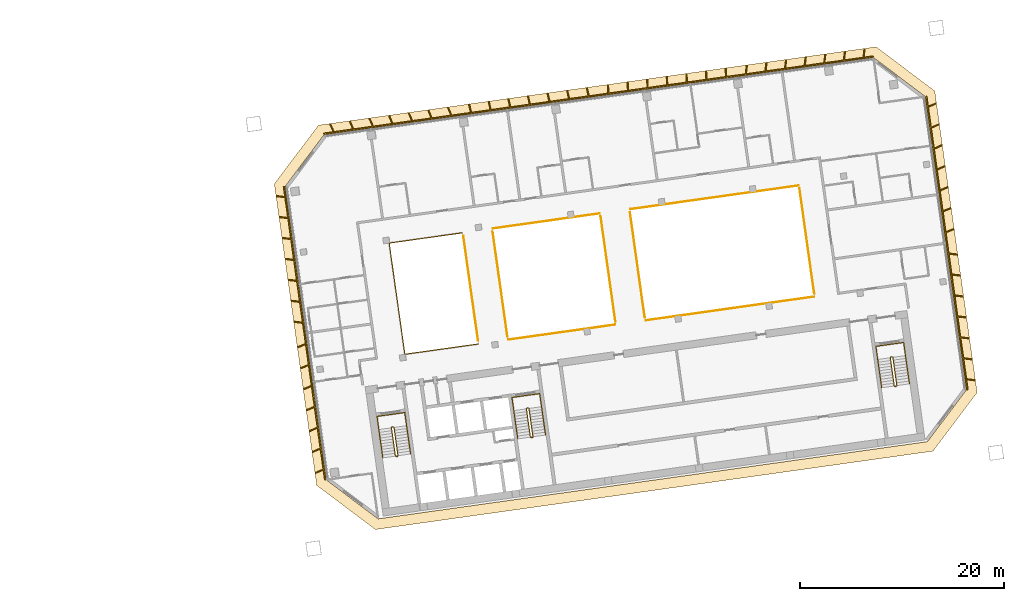
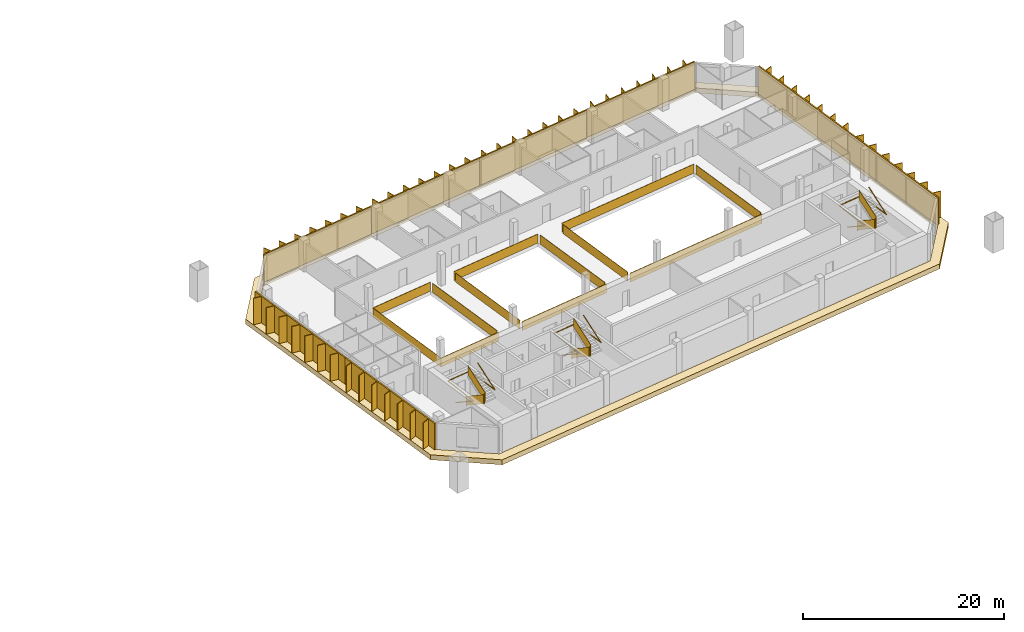
# One storey, part 26 of 26: 16 railings, 8 shading devices, 1 covering.
"""IFC4 building model written with IfcOpenShell, lengths in metres."""

from ifc_helpers import new_model, si_unit, direction, frame, origin, origin_2d, place, context, subcontext, project, spatial, polyline, rectangle, outline, extrude, material, layer, layer_set, type_object, element, save


model = new_model("IFC4")

# Units and contexts
model_context = context("Model", 3, precision=1e-05, world=origin(), true_north=direction((0.0, 1.0)))
body_context = subcontext(model_context, "Body", "Model", "MODEL_VIEW")
ifc_project = project(units=[si_unit("LENGTHUNIT", "METRE"), si_unit("AREAUNIT", "SQUARE_METRE"), si_unit("VOLUMEUNIT", "CUBIC_METRE"), si_unit("PLANEANGLEUNIT", "RADIAN"), si_unit("MASSUNIT", "GRAM", prefix="KILO")], contexts=[model_context])

# Site, building, storey
site_placement = place(None, origin())
site = spatial("IfcSite", under=ifc_project, at=site_placement, CompositionType="ELEMENT")
building_placement = place(site_placement, origin())
building = spatial("IfcBuilding", under=site, at=building_placement, Name="Mirante Cascada Hotel Towers", CompositionType="ELEMENT")
storey_placement = place(building_placement, frame((0.0, 0.0, 168.8)))
storey = spatial("IfcBuildingStorey", under=building, at=storey_placement, Name="L39", CompositionType="ELEMENT", Elevation=168.8)

# Railings
ifc_material_1 = material(Name="Toughened glass with stainless steel handrail", Category="steel")
railing_type_1 = type_object("IfcRailingType", Name="Atrium guard 1100 glass balustrade", PredefinedType="GUARDRAIL", material=ifc_material_1)
railing_1_placement = place(storey_placement, frame((45.0309, 7.7871, 0.0)))
element("IfcRailing", 1, at=railing_1_placement, inside=storey, type_object=railing_type_1, Name="GUARD 2-L39-1", PredefinedType="GUARDRAIL", context=body_context, shape_type="SweptSolid", body=[
    extrude(rectangle(XDim=0.048, YDim=0.048, at=origin_2d()), frame((0.0, 0.0, 1.076), z_axis=(-0.990269, -0.1391665, 0.0), x_axis=(0.1391665, -0.990269, 0.0)), (0.0, 0.0, 1.0), 7.2467),
    extrude(rectangle(XDim=0.02, YDim=1.052, at=origin_2d()), frame((0.0, 0.0, 0.526), z_axis=(-0.990269, -0.1391665, 0.0), x_axis=(0.1391665, -0.990269, 0.0)), (0.0, 0.0, 1.0), 7.2467),
    extrude(rectangle(XDim=0.048, YDim=0.048, at=origin_2d()), frame((-7.1762, -1.0085, 1.076), z_axis=(0.1391721, -0.9902682, 0.0), x_axis=(0.9902682, 0.1391721, 0.0)), (0.0, 0.0, 1.0), 11.0001),
    extrude(rectangle(XDim=0.02, YDim=1.052, at=origin_2d()), frame((-7.1762, -1.0085, 0.526), z_axis=(0.1391721, -0.9902682, 0.0), x_axis=(0.9902682, 0.1391721, 0.0)), (0.0, 0.0, 1.0), 11.0001),
    extrude(rectangle(XDim=0.048, YDim=0.048, at=origin_2d()), frame((-5.6453, -11.9015, 1.076), z_axis=(0.9902671, 0.13918, 0.0), x_axis=(-0.13918, 0.9902671, 0.0)), (0.0, 0.0, 1.0), 7.2467),
    extrude(rectangle(XDim=0.02, YDim=1.052, at=origin_2d()), frame((-5.6453, -11.9015, 0.526), z_axis=(0.9902671, 0.13918, 0.0), x_axis=(-0.13918, 0.9902671, 0.0)), (0.0, 0.0, 1.0), 7.2467),
])
railing_2_placement = place(storey_placement, frame((49.5326, -2.6883, 0.0)))
element("IfcRailing", 2, at=railing_2_placement, inside=storey, type_object=railing_type_1, Name="GUARD 2-L39-2", PredefinedType="GUARDRAIL", context=body_context, shape_type="SweptSolid", body=[
    extrude(rectangle(XDim=0.048, YDim=0.048, at=origin_2d()), frame((0.0, 0.0, 1.076), z_axis=(0.9902676, 0.1391764, 0.0), x_axis=(-0.1391764, 0.9902676, 0.0)), (0.0, 0.0, 1.0), 10.5844),
    extrude(rectangle(XDim=0.02, YDim=1.052, at=origin_2d()), frame((0.0, 0.0, 0.526), z_axis=(0.9902676, 0.1391764, 0.0), x_axis=(-0.1391764, 0.9902676, 0.0)), (0.0, 0.0, 1.0), 10.5844),
])
railing_3_placement = place(storey_placement, frame((58.4831, 9.6777, 0.0)))
element("IfcRailing", 3, at=railing_3_placement, inside=storey, type_object=railing_type_1, Name="GUARD 2-L39-3", PredefinedType="GUARDRAIL", context=body_context, shape_type="SweptSolid", body=[
    extrude(rectangle(XDim=0.048, YDim=0.048, at=origin_2d()), frame((0.0, 0.0, 1.076), z_axis=(-0.9902689, -0.1391671, 0.0), x_axis=(0.1391671, -0.9902689, 0.0)), (0.0, 0.0, 1.0), 10.5844),
    extrude(rectangle(XDim=0.02, YDim=1.052, at=origin_2d()), frame((0.0, 0.0, 0.526), z_axis=(-0.9902689, -0.1391671, 0.0), x_axis=(0.1391671, -0.9902689, 0.0)), (0.0, 0.0, 1.0), 10.5844),
])
railing_4_placement = place(storey_placement, frame((62.9849, -0.7977, 0.0)))
element("IfcRailing", 4, at=railing_4_placement, inside=storey, type_object=railing_type_1, Name="GUARD 2-L39-4", PredefinedType="GUARDRAIL", context=body_context, shape_type="SweptSolid", body=[
    extrude(rectangle(XDim=0.048, YDim=0.048, at=origin_2d()), frame((0.0, 0.0, 1.076), z_axis=(-1.0, 0.0, 0.0), x_axis=(0.0, -1.0, 0.0)), (0.0, 0.0, 1.0), 0.0001),
    extrude(rectangle(XDim=0.02, YDim=1.052, at=origin_2d()), frame((0.0, 0.0, 0.526), z_axis=(-1.0, 0.0, 0.0), x_axis=(0.0, -1.0, 0.0)), (0.0, 0.0, 1.0), 0.0001),
    extrude(rectangle(XDim=0.048, YDim=0.048, at=origin_2d()), frame((-0.0001, 0.0, 1.076), z_axis=(0.9902678, 0.1391751, 0.0), x_axis=(-0.1391751, 0.9902678, 0.0)), (0.0, 0.0, 1.0), 16.6689),
    extrude(rectangle(XDim=0.02, YDim=1.052, at=origin_2d()), frame((-0.0001, 0.0, 0.526), z_axis=(0.9902678, 0.1391751, 0.0), x_axis=(-0.1391751, 0.9902678, 0.0)), (0.0, 0.0, 1.0), 16.6689),
    extrude(rectangle(XDim=0.048, YDim=0.048, at=origin_2d()), frame((16.5066, 2.3199, 1.076), z_axis=(-0.9901262, -0.1401792, 0.0), x_axis=(0.1401792, -0.9901262, 0.0)), (0.0, 0.0, 1.0), 0.0564),
    extrude(rectangle(XDim=0.02, YDim=1.052, at=origin_2d()), frame((16.5066, 2.3199, 0.526), z_axis=(-0.9901262, -0.1401792, 0.0), x_axis=(0.1401792, -0.9901262, 0.0)), (0.0, 0.0, 1.0), 0.0564),
])
railing_5_placement = place(storey_placement, frame((77.9048, 12.4073, 0.0)))
element("IfcRailing", 5, at=railing_5_placement, inside=storey, type_object=railing_type_1, Name="GUARD 2-L39-5", PredefinedType="GUARDRAIL", context=body_context, shape_type="SweptSolid", body=[
    extrude(rectangle(XDim=0.048, YDim=0.048, at=origin_2d()), frame((0.0, 0.0, 1.076), z_axis=(0.990371, 0.138439, 0.0), x_axis=(-0.138439, 0.990371, 0.0)), (0.0, 0.0, 1.0), 0.0563),
    extrude(rectangle(XDim=0.02, YDim=1.052, at=origin_2d()), frame((0.0, 0.0, 0.526), z_axis=(0.990371, 0.138439, 0.0), x_axis=(-0.138439, 0.990371, 0.0)), (0.0, 0.0, 1.0), 0.0563),
    extrude(rectangle(XDim=0.048, YDim=0.048, at=origin_2d()), frame((0.0558, 0.0078, 1.076), z_axis=(-0.9902686, -0.1391693, 0.0), x_axis=(0.1391693, -0.9902686, 0.0)), (0.0, 0.0, 1.0), 16.6689),
    extrude(rectangle(XDim=0.02, YDim=1.052, at=origin_2d()), frame((0.0558, 0.0078, 0.526), z_axis=(-0.9902686, -0.1391693, 0.0), x_axis=(0.1391693, -0.9902686, 0.0)), (0.0, 0.0, 1.0), 16.6689),
    extrude(rectangle(XDim=0.048, YDim=0.048, at=origin_2d()), frame((-16.4509, -2.312, 1.076), z_axis=(1.0, 0.0, 0.0), x_axis=(0.0, 1.0, 0.0)), (0.0, 0.0, 1.0), 0.0001),
    extrude(rectangle(XDim=0.02, YDim=1.052, at=origin_2d()), frame((-16.4509, -2.312, 0.526), z_axis=(1.0, 0.0, 0.0), x_axis=(0.0, 1.0, 0.0)), (0.0, 0.0, 1.0), 0.0001),
])
railing_6_placement = place(storey_placement, frame((46.5692, -2.8062, 0.0)))
element("IfcRailing", 6, at=railing_6_placement, inside=storey, type_object=railing_type_1, Name="GUARD 2-L39-6", PredefinedType="GUARDRAIL", context=body_context, shape_type="SweptSolid", body=[
    extrude(rectangle(XDim=0.048, YDim=0.048, at=origin_2d()), frame((0.0, 0.0, 1.076), z_axis=(-0.1391721, 0.9902682, 0.0), x_axis=(-0.9902682, -0.1391721, 0.0)), (0.0, 0.0, 1.0), 10.4087),
    extrude(rectangle(XDim=0.02, YDim=1.052, at=origin_2d()), frame((0.0, 0.0, 0.526), z_axis=(-0.1391721, 0.9902682, 0.0), x_axis=(-0.9902682, -0.1391721, 0.0)), (0.0, 0.0, 1.0), 10.4087),
])
railing_7_placement = place(storey_placement, frame((47.9943, 7.9051, 0.0)))
element("IfcRailing", 7, at=railing_7_placement, inside=storey, type_object=railing_type_1, Name="GUARD 2-L39-7", PredefinedType="GUARDRAIL", context=body_context, shape_type="SweptSolid", body=[
    extrude(rectangle(XDim=0.048, YDim=0.048, at=origin_2d()), frame((0.0, 0.0, 1.076), z_axis=(0.1391721, -0.9902682, 0.0), x_axis=(0.9902682, 0.1391721, 0.0)), (0.0, 0.0, 1.0), 10.4087),
    extrude(rectangle(XDim=0.02, YDim=1.052, at=origin_2d()), frame((0.0, 0.0, 0.526), z_axis=(0.1391721, -0.9902682, 0.0), x_axis=(0.9902682, 0.1391721, 0.0)), (0.0, 0.0, 1.0), 10.4087),
])
railing_8_placement = place(storey_placement, frame((60.0214, -0.9156, 0.0)))
element("IfcRailing", 8, at=railing_8_placement, inside=storey, type_object=railing_type_1, Name="GUARD 2-L39-8", PredefinedType="GUARDRAIL", context=body_context, shape_type="SweptSolid", body=[
    extrude(rectangle(XDim=0.048, YDim=0.048, at=origin_2d()), frame((0.0, 0.0, 1.076), z_axis=(-0.1391721, 0.9902682, 0.0), x_axis=(-0.9902682, -0.1391721, 0.0)), (0.0, 0.0, 1.0), 10.4087),
    extrude(rectangle(XDim=0.02, YDim=1.052, at=origin_2d()), frame((0.0, 0.0, 0.526), z_axis=(-0.1391721, 0.9902682, 0.0), x_axis=(-0.9902682, -0.1391721, 0.0)), (0.0, 0.0, 1.0), 10.4087),
])
railing_9_placement = place(storey_placement, frame((61.4465, 9.7957, 0.0)))
element("IfcRailing", 9, at=railing_9_placement, inside=storey, type_object=railing_type_1, Name="GUARD 2-L39-9", PredefinedType="GUARDRAIL", context=body_context, shape_type="SweptSolid", body=[
    extrude(rectangle(XDim=0.048, YDim=0.048, at=origin_2d()), frame((0.0, 0.0, 1.076), z_axis=(0.1391708, -0.9902684, 0.0), x_axis=(0.9902684, 0.1391708, 0.0)), (0.0, 0.0, 1.0), 10.4088),
    extrude(rectangle(XDim=0.02, YDim=1.052, at=origin_2d()), frame((0.0, 0.0, 0.526), z_axis=(0.1391708, -0.9902684, 0.0), x_axis=(0.9902684, 0.1391708, 0.0)), (0.0, 0.0, 1.0), 10.4088),
])
railing_10_placement = place(storey_placement, frame((79.4999, 1.8217, 0.0)))
element("IfcRailing", 10, at=railing_10_placement, inside=storey, type_object=railing_type_1, Name="GUARD 2-L39-10", PredefinedType="GUARDRAIL", context=body_context, shape_type="SweptSolid", body=[
    extrude(rectangle(XDim=0.048, YDim=0.048, at=origin_2d()), frame((0.0, 0.0, 1.076), z_axis=(-0.1391762, 0.9902676, 0.0), x_axis=(-0.9902676, -0.1391762, 0.0)), (0.0, 0.0, 1.0), 10.4091),
    extrude(rectangle(XDim=0.02, YDim=1.052, at=origin_2d()), frame((0.0, 0.0, 0.526), z_axis=(-0.1391762, 0.9902676, 0.0), x_axis=(-0.9902676, -0.1391762, 0.0)), (0.0, 0.0, 1.0), 10.4091),
])

# Covering
ifc_material_2 = material(Name="Precast concrete C40/50 white", Category="concrete")
ifc_layer = layer(ifc_material_2, 0.6)
ifc_layer_set = layer_set([ifc_layer], Name="Precast concrete SUNSHADE band 1000x600")
covering_type = type_object("IfcCoveringType", Name="Precast concrete SUNSHADE band 1000x600", PredefinedType="CLADDING", material=ifc_layer_set)
covering_placement = place(storey_placement, frame((0.0, 0.0, -0.45)))
element("IfcCovering", 11, at=covering_placement, inside=storey, type_object=covering_type, Name="Precast concrete SUNSHADE band T2 L39", PredefinedType="CLADDING", context=body_context, shape_type="SweptSolid", body=[
    extrude(outline(polyline([(26.5997, 12.5829), (30.9282, 18.327), (85.5574, 26.0046), (91.3015, 21.6761), (95.4528, -7.862), (91.1243, -13.6061), (36.4951, -21.2837), (30.751, -16.9552), (26.5997, 12.5829)]), holes=[polyline([(94.4049, -7.591), (90.3689, 21.1268), (85.2864, 24.9567), (31.4775, 17.3944), (27.6476, 12.3119), (31.6836, -16.4059), (36.7661, -20.2358), (90.575, -12.6735), (94.4049, -7.591)])]), origin(), (0.0, 0.0, 1.0), 0.6),
])

# Railings
ifc_material_3 = material(Name="Painted steel", Category="steel")
railing_type_2 = type_object("IfcRailingType", Name="Stair guard 1100 steel balustrade", PredefinedType="GUARDRAIL", material=ifc_material_3)
railing_11_placement = place(storey_placement, frame((38.2663, -11.2395, 0.0)))
element("IfcRailing", 12, at=railing_11_placement, inside=storey, type_object=railing_type_2, Name="L39 ST2-A stair guard 1", PredefinedType="GUARDRAIL", context=body_context, shape_type="SweptSolid", body=[
    extrude(rectangle(XDim=0.048, YDim=0.048, at=origin_2d()), frame((0.0, 0.0, 1.076), z_axis=(-0.9903326, -0.1387133, 0.0), x_axis=(0.1387133, -0.9903326, 0.0)), (0.0, 0.0, 1.0), 0.1499),
    extrude(rectangle(XDim=0.02, YDim=1.052, at=origin_2d()), frame((0.0, 0.0, 0.526), z_axis=(-0.9903326, -0.1387133, 0.0), x_axis=(0.1387133, -0.9903326, 0.0)), (0.0, 0.0, 1.0), 0.1499),
    extrude(rectangle(XDim=0.048, YDim=0.048, at=origin_2d()), frame((-0.1485, -0.0208, 1.076), z_axis=(-0.6020331, -0.7984711, 0.0), x_axis=(0.7984711, -0.6020331, 0.0)), (0.0, 0.9253398, 0.3791387), 0.1866),
    extrude(rectangle(XDim=0.02, YDim=1.052, at=origin_2d()), frame((-0.1485, -0.0208, 0.526), z_axis=(-0.6020331, -0.7984711, 0.0), x_axis=(0.7984711, -0.6020331, 0.0)), (0.0, 0.9253398, 0.3791387), 0.1866),
    extrude(rectangle(XDim=0.048, YDim=0.048, at=origin_2d()), frame((-0.1911, -0.0773, 1.2487), z_axis=(0.139176, -0.9902677, 0.0), x_axis=(0.9902677, 0.139176, 0.0)), (0.0, 0.5250212, 0.8510891), 3.29),
    extrude(rectangle(XDim=0.02, YDim=1.052, at=origin_2d()), frame((-0.1911, -0.0773, 0.6987), z_axis=(0.139176, -0.9902677, 0.0), x_axis=(0.9902677, 0.139176, 0.0)), (0.0, 0.5250212, 0.8510891), 3.29),
    extrude(rectangle(XDim=0.048, YDim=0.048, at=origin_2d()), frame((0.1986, -2.8501, 2.976), z_axis=(0.9944948, -0.1047858, 0.0), x_axis=(0.1047858, 0.9944948, 0.0)), (0.0, 0.0, 1.0), 0.2061),
    extrude(rectangle(XDim=0.02, YDim=1.052, at=origin_2d()), frame((0.1986, -2.8501, 2.426), z_axis=(0.9944948, -0.1047858, 0.0), x_axis=(0.1047858, 0.9944948, 0.0)), (0.0, 0.0, 1.0), 0.2061),
    extrude(rectangle(XDim=0.048, YDim=0.048, at=origin_2d()), frame((0.4036, -2.8717, 2.976), z_axis=(-0.9902408, -0.1393672, 0.0), x_axis=(0.1393672, -0.9902408, 0.0)), (0.0, 0.0, 1.0), 0.15),
    extrude(rectangle(XDim=0.02, YDim=1.052, at=origin_2d()), frame((0.4036, -2.8717, 2.426), z_axis=(-0.9902408, -0.1393672, 0.0), x_axis=(0.1393672, -0.9902408, 0.0)), (0.0, 0.0, 1.0), 0.15),
    extrude(rectangle(XDim=0.048, YDim=0.048, at=origin_2d()), frame((0.2551, -2.8926, 2.976), z_axis=(0.9270311, 0.3749843, 0.0), x_axis=(-0.3749843, 0.9270311, 0.0)), (0.0, 0.6421903, 0.7665452), 0.2689),
    extrude(rectangle(XDim=0.02, YDim=1.052, at=origin_2d()), frame((0.2551, -2.8926, 2.426), z_axis=(0.9270311, 0.3749843, 0.0), x_axis=(-0.3749843, 0.9270311, 0.0)), (0.0, 0.6421903, 0.7665452), 0.2689),
    extrude(rectangle(XDim=0.048, YDim=0.048, at=origin_2d()), frame((0.4462, -2.8153, 3.1487), z_axis=(-0.139176, 0.9902677, 0.0), x_axis=(-0.9902677, -0.139176, 0.0)), (0.0, 0.5250212, 0.8510891), 3.29),
    extrude(rectangle(XDim=0.02, YDim=1.052, at=origin_2d()), frame((0.4462, -2.8153, 2.5987), z_axis=(-0.139176, 0.9902677, 0.0), x_axis=(-0.9902677, -0.139176, 0.0)), (0.0, 0.5250212, 0.8510891), 3.29),
])
railing_12_placement = place(storey_placement, frame((51.4864, -9.3815, 0.0)))
element("IfcRailing", 13, at=railing_12_placement, inside=storey, type_object=railing_type_2, Name="L39 ST2-B stair guard 1", PredefinedType="GUARDRAIL", context=body_context, shape_type="SweptSolid", body=[
    extrude(rectangle(XDim=0.048, YDim=0.048, at=origin_2d()), frame((0.0, 0.0, 1.076), z_axis=(-0.9902408, -0.1393672, 0.0), x_axis=(0.1393672, -0.9902408, 0.0)), (0.0, 0.0, 1.0), 0.15),
    extrude(rectangle(XDim=0.02, YDim=1.052, at=origin_2d()), frame((0.0, 0.0, 0.526), z_axis=(-0.9902408, -0.1393672, 0.0), x_axis=(0.1393672, -0.9902408, 0.0)), (0.0, 0.0, 1.0), 0.15),
    extrude(rectangle(XDim=0.048, YDim=0.048, at=origin_2d()), frame((-0.1485, -0.0209, 1.076), z_axis=(-0.6020331, -0.7984711, 0.0), x_axis=(0.7984711, -0.6020331, 0.0)), (0.0, 0.9253398, 0.3791387), 0.1866),
    extrude(rectangle(XDim=0.02, YDim=1.052, at=origin_2d()), frame((-0.1485, -0.0209, 0.526), z_axis=(-0.6020331, -0.7984711, 0.0), x_axis=(0.7984711, -0.6020331, 0.0)), (0.0, 0.9253398, 0.3791387), 0.1866),
    extrude(rectangle(XDim=0.048, YDim=0.048, at=origin_2d()), frame((-0.1911, -0.0774, 1.2487), z_axis=(0.139181, -0.990267, 0.0), x_axis=(0.990267, 0.139181, 0.0)), (0.0, 0.5250347, 0.8510808), 3.2899),
    extrude(rectangle(XDim=0.02, YDim=1.052, at=origin_2d()), frame((-0.1911, -0.0774, 0.6987), z_axis=(0.139181, -0.990267, 0.0), x_axis=(0.990267, 0.139181, 0.0)), (0.0, 0.5250347, 0.8510808), 3.2899),
    extrude(rectangle(XDim=0.048, YDim=0.048, at=origin_2d()), frame((0.1986, -2.8501, 2.976), z_axis=(0.9944441, -0.1052656, 0.0), x_axis=(0.1052656, 0.9944441, 0.0)), (0.0, 0.0, 1.0), 0.2061),
    extrude(rectangle(XDim=0.02, YDim=1.052, at=origin_2d()), frame((0.1986, -2.8501, 2.426), z_axis=(0.9944441, -0.1052656, 0.0), x_axis=(0.1052656, 0.9944441, 0.0)), (0.0, 0.0, 1.0), 0.2061),
    extrude(rectangle(XDim=0.048, YDim=0.048, at=origin_2d()), frame((0.4036, -2.8718, 2.976), z_axis=(-0.9902408, -0.1393672, 0.0), x_axis=(0.1393672, -0.9902408, 0.0)), (0.0, 0.0, 1.0), 0.15),
    extrude(rectangle(XDim=0.02, YDim=1.052, at=origin_2d()), frame((0.4036, -2.8718, 2.426), z_axis=(-0.9902408, -0.1393672, 0.0), x_axis=(0.1393672, -0.9902408, 0.0)), (0.0, 0.0, 1.0), 0.15),
    extrude(rectangle(XDim=0.048, YDim=0.048, at=origin_2d()), frame((0.2551, -2.8927, 2.976), z_axis=(0.9268624, 0.3754011, 0.0), x_axis=(-0.3754011, 0.9268624, 0.0)), (0.0, 0.6421217, 0.7666028), 0.269),
    extrude(rectangle(XDim=0.02, YDim=1.052, at=origin_2d()), frame((0.2551, -2.8927, 2.426), z_axis=(0.9268624, 0.3754011, 0.0), x_axis=(-0.3754011, 0.9268624, 0.0)), (0.0, 0.6421217, 0.7666028), 0.269),
    extrude(rectangle(XDim=0.048, YDim=0.048, at=origin_2d()), frame((0.4462, -2.8153, 3.1487), z_axis=(-0.139181, 0.990267, 0.0), x_axis=(-0.990267, -0.139181, 0.0)), (0.0, 0.5250347, 0.8510808), 3.2899),
    extrude(rectangle(XDim=0.02, YDim=1.052, at=origin_2d()), frame((0.4462, -2.8153, 2.5987), z_axis=(-0.139181, 0.990267, 0.0), x_axis=(-0.990267, -0.139181, 0.0)), (0.0, 0.5250347, 0.8510808), 3.2899),
])
railing_13_placement = place(storey_placement, frame((87.1361, -4.3713, 0.0)))
element("IfcRailing", 14, at=railing_13_placement, inside=storey, type_object=railing_type_2, Name="L39 ST2-C stair guard 1", PredefinedType="GUARDRAIL", context=body_context, shape_type="SweptSolid", body=[
    extrude(rectangle(XDim=0.048, YDim=0.048, at=origin_2d()), frame((0.0, 0.0, 1.076), z_axis=(-0.9902537, -0.1392753, 0.0), x_axis=(0.1392753, -0.9902537, 0.0)), (0.0, 0.0, 1.0), 0.1501),
    extrude(rectangle(XDim=0.02, YDim=1.052, at=origin_2d()), frame((0.0, 0.0, 0.526), z_axis=(-0.9902537, -0.1392753, 0.0), x_axis=(0.1392753, -0.9902537, 0.0)), (0.0, 0.0, 1.0), 0.1501),
    extrude(rectangle(XDim=0.048, YDim=0.048, at=origin_2d()), frame((-0.1486, -0.0209, 1.076), z_axis=(-0.601811, -0.7986386, 0.0), x_axis=(0.7986386, -0.601811, 0.0)), (0.0, 0.925603, 0.3784959), 0.1866),
    extrude(rectangle(XDim=0.02, YDim=1.052, at=origin_2d()), frame((-0.1486, -0.0209, 0.526), z_axis=(-0.601811, -0.7986386, 0.0), x_axis=(0.7986386, -0.601811, 0.0)), (0.0, 0.925603, 0.3784959), 0.1866),
    extrude(rectangle(XDim=0.048, YDim=0.048, at=origin_2d()), frame((-0.1911, -0.0773, 1.2487), z_axis=(0.139176, -0.9902677, 0.0), x_axis=(0.9902677, 0.139176, 0.0)), (0.0, 0.5250212, 0.8510891), 3.29),
    extrude(rectangle(XDim=0.02, YDim=1.052, at=origin_2d()), frame((-0.1911, -0.0773, 0.6987), z_axis=(0.139176, -0.9902677, 0.0), x_axis=(0.9902677, 0.139176, 0.0)), (0.0, 0.5250212, 0.8510891), 3.29),
    extrude(rectangle(XDim=0.048, YDim=0.048, at=origin_2d()), frame((0.1986, -2.8501, 2.976), z_axis=(0.9944441, -0.1052656, 0.0), x_axis=(0.1052656, 0.9944441, 0.0)), (0.0, 0.0, 1.0), 0.2061),
    extrude(rectangle(XDim=0.02, YDim=1.052, at=origin_2d()), frame((0.1986, -2.8501, 2.426), z_axis=(0.9944441, -0.1052656, 0.0), x_axis=(0.1052656, 0.9944441, 0.0)), (0.0, 0.0, 1.0), 0.2061),
    extrude(rectangle(XDim=0.048, YDim=0.048, at=origin_2d()), frame((0.4036, -2.8718, 2.976), z_axis=(-0.9903454, -0.1386217, 0.0), x_axis=(0.1386217, -0.9903454, 0.0)), (0.0, 0.0, 1.0), 0.15),
    extrude(rectangle(XDim=0.02, YDim=1.052, at=origin_2d()), frame((0.4036, -2.8718, 2.426), z_axis=(-0.9903454, -0.1386217, 0.0), x_axis=(0.1386217, -0.9903454, 0.0)), (0.0, 0.0, 1.0), 0.15),
    extrude(rectangle(XDim=0.048, YDim=0.048, at=origin_2d()), frame((0.255, -2.8926, 2.976), z_axis=(0.9270311, 0.3749843, 0.0), x_axis=(-0.3749843, 0.9270311, 0.0)), (0.0, 0.6421903, 0.7665452), 0.2689),
    extrude(rectangle(XDim=0.02, YDim=1.052, at=origin_2d()), frame((0.255, -2.8926, 2.426), z_axis=(0.9270311, 0.3749843, 0.0), x_axis=(-0.3749843, 0.9270311, 0.0)), (0.0, 0.6421903, 0.7665452), 0.2689),
    extrude(rectangle(XDim=0.048, YDim=0.048, at=origin_2d()), frame((0.4461, -2.8153, 3.1487), z_axis=(-0.139176, 0.9902677, 0.0), x_axis=(-0.9902677, -0.139176, 0.0)), (0.0, 0.5250212, 0.8510891), 3.29),
    extrude(rectangle(XDim=0.02, YDim=1.052, at=origin_2d()), frame((0.4461, -2.8153, 2.5987), z_axis=(-0.139176, 0.9902677, 0.0), x_axis=(-0.9902677, -0.139176, 0.0)), (0.0, 0.5250212, 0.8510891), 3.29),
])
ifc_material_4 = material(Name="Painted steel", Category="steel")
railing_type_3 = type_object("IfcRailingType", Name="Stair handrail 900 steel tube", PredefinedType="HANDRAIL", material=ifc_material_4)
railing_14_placement = place(storey_placement, frame((36.8374, -11.4908, 0.1727)))
element("IfcRailing", 15, at=railing_14_placement, inside=storey, type_object=railing_type_3, Name="L39 ST2-A stair handrail 1", PredefinedType="HANDRAIL", context=body_context, shape_type="SweptSolid", body=[
    extrude(rectangle(XDim=0.048, YDim=0.048, at=origin_2d()), frame((0.0, 0.0, 0.876), z_axis=(0.139181, -0.990267, 0.0), x_axis=(0.990267, 0.139181, 0.0)), (0.0, 0.5250347, 0.8510808), 3.2899),
    extrude(rectangle(XDim=0.048, YDim=0.048, at=origin_2d()), frame((0.3897, -2.7727, 2.6033), z_axis=(-0.1391707, 0.9902684, 0.0), x_axis=(-0.9902684, -0.1391707, 0.0)), (0.0, 0.0420846, 0.999114), 4.1036),
    extrude(rectangle(XDim=0.048, YDim=0.048, at=origin_2d()), frame((-0.1809, 1.2874, 2.776), z_axis=(0.9902691, 0.1391657, 0.0), x_axis=(-0.1391657, 0.9902691, 0.0)), (0.0, 0.0, 1.0), 2.75),
    extrude(rectangle(XDim=0.048, YDim=0.048, at=origin_2d()), frame((2.5423, 1.6701, 2.776), z_axis=(0.1391707, -0.9902684, 0.0), x_axis=(0.9902684, 0.1391707, 0.0)), (0.0, 0.0, 1.0), 4.1),
    extrude(rectangle(XDim=0.048, YDim=0.048, at=origin_2d()), frame((3.1129, -2.39, 2.776), z_axis=(-0.139181, 0.990267, 0.0), x_axis=(-0.990267, -0.139181, 0.0)), (0.0, 0.5250347, 0.8510808), 3.2899),
])
railing_15_placement = place(storey_placement, frame((50.0575, -9.6328, 0.1727)))
element("IfcRailing", 16, at=railing_15_placement, inside=storey, type_object=railing_type_3, Name="L39 ST2-B stair handrail 1", PredefinedType="HANDRAIL", context=body_context, shape_type="SweptSolid", body=[
    extrude(rectangle(XDim=0.048, YDim=0.048, at=origin_2d()), frame((0.0, 0.0, 0.876), z_axis=(0.139176, -0.9902677, 0.0), x_axis=(0.9902677, 0.139176, 0.0)), (0.0, 0.5250212, 0.8510891), 3.29),
    extrude(rectangle(XDim=0.048, YDim=0.048, at=origin_2d()), frame((0.3897, -2.7728, 2.6033), z_axis=(-0.1391707, 0.9902684, 0.0), x_axis=(-0.9902684, -0.1391707, 0.0)), (0.0, 0.0420846, 0.999114), 4.1036),
    extrude(rectangle(XDim=0.048, YDim=0.048, at=origin_2d()), frame((-0.1809, 1.2873, 2.776), z_axis=(0.9902641, 0.1392013, 0.0), x_axis=(-0.1392013, 0.9902641, 0.0)), (0.0, 0.0, 1.0), 2.75),
    extrude(rectangle(XDim=0.048, YDim=0.048, at=origin_2d()), frame((2.5423, 1.6701, 2.776), z_axis=(0.1391707, -0.9902684, 0.0), x_axis=(0.9902684, 0.1391707, 0.0)), (0.0, 0.0, 1.0), 4.1),
    extrude(rectangle(XDim=0.048, YDim=0.048, at=origin_2d()), frame((3.1129, -2.39, 2.776), z_axis=(-0.139181, 0.990267, 0.0), x_axis=(-0.990267, -0.139181, 0.0)), (0.0, 0.5250347, 0.8510808), 3.2899),
])
railing_16_placement = place(storey_placement, frame((85.7071, -4.6226, 0.1727)))
element("IfcRailing", 17, at=railing_16_placement, inside=storey, type_object=railing_type_3, Name="L39 ST2-C stair handrail 1", PredefinedType="HANDRAIL", context=body_context, shape_type="SweptSolid", body=[
    extrude(rectangle(XDim=0.048, YDim=0.048, at=origin_2d()), frame((0.0, 0.0, 0.876), z_axis=(0.139181, -0.990267, 0.0), x_axis=(0.990267, 0.139181, 0.0)), (0.0, 0.5250347, 0.8510808), 3.2899),
    extrude(rectangle(XDim=0.048, YDim=0.048, at=origin_2d()), frame((0.3897, -2.7727, 2.6033), z_axis=(-0.1391707, 0.9902684, 0.0), x_axis=(-0.9902684, -0.1391707, 0.0)), (0.0, 0.0420846, 0.999114), 4.1036),
    extrude(rectangle(XDim=0.048, YDim=0.048, at=origin_2d()), frame((-0.1809, 1.2874, 2.776), z_axis=(0.9902691, 0.1391657, 0.0), x_axis=(-0.1391657, 0.9902691, 0.0)), (0.0, 0.0, 1.0), 2.75),
    extrude(rectangle(XDim=0.048, YDim=0.048, at=origin_2d()), frame((2.5423, 1.6701, 2.776), z_axis=(0.1391947, -0.990265, 0.0), x_axis=(0.990265, 0.1391947, 0.0)), (0.0, 0.0, 1.0), 4.1),
    extrude(rectangle(XDim=0.048, YDim=0.048, at=origin_2d()), frame((3.113, -2.39, 2.776), z_axis=(-0.139181, 0.990267, 0.0), x_axis=(-0.990267, -0.139181, 0.0)), (0.0, 0.5250347, 0.8510808), 3.2899),
])

# Shading devices
ifc_material_5 = material(Name="White precast concrete C50/60 fin", Category="concrete")
shading_device_type = type_object("IfcShadingDeviceType", Name="Vertical fin set 4500x900", PredefinedType="USERDEFINED", material=ifc_material_5)
shading_device_1_placement = place(storey_placement, origin())
element("IfcShadingDevice", 18, at=shading_device_1_placement, inside=storey, type_object=shading_device_type, Name="FIN T2 L39 front 1", ObjectType="FIN", PredefinedType="USERDEFINED", context=body_context, shape_type="SweptSolid", body=[
    extrude(outline(polyline([(72.9305, 24.1886), (72.8285, 23.3573), (74.6682, 23.6159), (74.7729, 24.4685), (74.8523, 24.4587), (74.7502, 23.6274), (76.5899, 23.886), (76.6946, 24.7385), (76.774, 24.7288), (76.6719, 23.8975), (78.5117, 24.1561), (78.6163, 25.0086), (78.6958, 24.9989), (78.5937, 24.1676), (80.4334, 24.4262), (80.5381, 25.2787), (80.6175, 25.269), (80.5154, 24.4377), (82.3552, 24.6962), (82.4598, 25.5488), (82.5392, 25.539), (82.4372, 24.7078), (84.2769, 24.9663), (84.3816, 25.8189), (84.461, 25.8091), (84.3589, 24.9778), (85.2655, 25.1053), (85.2864, 24.9567), (71.8342, 23.0661), (71.8133, 23.2147), (72.7464, 23.3458), (72.8511, 24.1984), (72.9305, 24.1886)])), origin(), (0.0, 0.0, 1.0), 3.35),
])
shading_device_2_placement = place(storey_placement, origin())
element("IfcShadingDevice", 19, at=shading_device_2_placement, inside=storey, type_object=shading_device_type, Name="FIN T2 L39 front 2", ObjectType="FIN", PredefinedType="USERDEFINED", context=body_context, shape_type="SweptSolid", body=[
    extrude(outline(polyline([(59.3218, 22.3105), (59.3661, 21.4653), (61.2083, 21.7242), (61.1636, 22.5764), (61.2435, 22.5806), (61.2878, 21.7354), (63.13, 21.9943), (63.0854, 22.8465), (63.1653, 22.8506), (63.2095, 22.0055), (65.0518, 22.2644), (65.0071, 23.1165), (65.087, 23.1207), (65.1313, 22.2756), (66.9735, 22.5345), (66.9289, 23.3866), (67.0087, 23.3908), (67.053, 22.5457), (68.8953, 22.8046), (68.8506, 23.6567), (68.9305, 23.6609), (68.9748, 22.8157), (70.817, 23.0747), (70.7723, 23.9268), (70.8522, 23.931), (70.8965, 23.0858), (71.8133, 23.2147), (71.8342, 23.0661), (58.382, 21.1755), (58.3611, 21.3241), (59.2865, 21.4542), (59.2419, 22.3063), (59.3218, 22.3105)])), origin(), (0.0, 0.0, 1.0), 3.35),
])
shading_device_3_placement = place(storey_placement, origin())
element("IfcShadingDevice", 20, at=shading_device_3_placement, inside=storey, type_object=shading_device_type, Name="FIN T2 L39 front 3", ObjectType="FIN", PredefinedType="USERDEFINED", context=body_context, shape_type="SweptSolid", body=[
    extrude(outline(polyline([(45.7132, 20.405), (45.9052, 19.5735), (47.7474, 19.8324), (47.557, 20.6571), (47.635, 20.675), (47.8269, 19.8436), (49.6691, 20.1025), (49.4788, 20.9271), (49.5567, 20.9451), (49.7487, 20.1137), (51.5909, 20.3726), (51.4005, 21.1972), (51.4785, 21.2152), (51.6704, 20.3838), (53.5126, 20.6427), (53.3223, 21.4673), (53.4002, 21.4853), (53.5922, 20.6539), (55.4344, 20.9128), (55.244, 21.7374), (55.3219, 21.7554), (55.5139, 20.9239), (57.3561, 21.1829), (57.1657, 22.0075), (57.2437, 22.0255), (57.4356, 21.194), (58.3611, 21.3241), (58.382, 21.1755), (44.9297, 19.285), (44.9089, 19.4335), (45.8257, 19.5623), (45.6353, 20.387), (45.7132, 20.405)])), origin(), (0.0, 0.0, 1.0), 3.35),
])
shading_device_4_placement = place(storey_placement, origin())
element("IfcShadingDevice", 21, at=shading_device_4_placement, inside=storey, type_object=shading_device_type, Name="FIN T2 L39 front 4", ObjectType="FIN", PredefinedType="USERDEFINED", context=body_context, shape_type="SweptSolid", body=[
    extrude(outline(polyline([(32.1097, 18.4725), (32.4453, 17.6819), (34.285, 17.9404), (33.9578, 18.7114), (34.0314, 18.7426), (34.367, 17.9519), (36.2067, 18.2105), (35.8795, 18.9814), (35.9531, 19.0127), (36.2888, 18.222), (38.1285, 18.4806), (37.8012, 19.2515), (37.8749, 19.2828), (38.2105, 18.4921), (40.0502, 18.7507), (39.723, 19.5216), (39.7966, 19.5529), (40.1323, 18.7622), (41.972, 19.0208), (41.6447, 19.7917), (41.7184, 19.8229), (42.054, 19.0323), (43.8937, 19.2908), (43.5665, 20.0618), (43.6401, 20.093), (43.9757, 19.3024), (44.9089, 19.4335), (44.9297, 19.285), (31.4775, 17.3944), (31.4567, 17.5429), (32.3633, 17.6703), (32.036, 18.4413), (32.1097, 18.4725)])), origin(), (0.0, 0.0, 1.0), 3.35),
])
shading_device_5_placement = place(storey_placement, origin())
element("IfcShadingDevice", 22, at=shading_device_5_placement, inside=storey, type_object=shading_device_type, Name="FIN T2 L39 inner 1", ObjectType="FIN", PredefinedType="USERDEFINED", context=body_context, shape_type="SweptSolid", body=[
    extrude(outline(polyline([(28.534, -0.8859), (29.3653, -0.988), (29.0885, 0.9813), (28.236, 1.086), (28.2457, 1.1654), (29.077, 1.0633), (28.8003, 3.0326), (27.9477, 3.1372), (27.9575, 3.2166), (28.7887, 3.1146), (28.512, 5.0838), (27.6594, 5.1885), (27.6692, 5.2679), (28.5004, 5.1658), (28.2237, 7.1351), (27.3711, 7.2398), (27.3809, 7.3192), (28.2122, 7.2171), (27.9354, 9.1864), (27.0828, 9.2911), (27.0926, 9.3705), (27.9239, 9.2684), (27.6471, 11.2376), (26.7946, 11.3423), (26.8043, 11.4217), (27.6356, 11.3197), (27.4991, 12.291), (27.6476, 12.3119), (29.6656, -2.047), (29.5171, -2.0679), (29.3768, -1.07), (28.5243, -0.9653), (28.534, -0.8859)])), origin(), (0.0, 0.0, 1.0), 3.35),
])
shading_device_6_placement = place(storey_placement, origin())
element("IfcShadingDevice", 23, at=shading_device_6_placement, inside=storey, type_object=shading_device_type, Name="FIN T2 L39 inner 2", ObjectType="FIN", PredefinedType="USERDEFINED", context=body_context, shape_type="SweptSolid", body=[
    extrude(outline(polyline([(30.5964, -15.709), (31.387, -15.3734), (31.1103, -13.4041), (30.3393, -13.7314), (30.3081, -13.6577), (31.0988, -13.3221), (30.822, -11.3529), (30.0511, -11.6801), (30.0198, -11.6065), (30.8105, -11.2708), (30.5337, -9.3016), (29.7628, -9.6288), (29.7315, -9.5552), (30.5222, -9.2196), (30.2454, -7.2503), (29.4745, -7.5776), (29.4432, -7.5039), (30.2339, -7.1683), (29.9571, -5.199), (29.1862, -5.5263), (29.1549, -5.4527), (29.9456, -5.117), (29.6688, -3.1478), (28.8979, -3.475), (28.8667, -3.4014), (29.6573, -3.0658), (29.5171, -2.0679), (29.6656, -2.047), (31.6836, -16.4059), (31.5351, -16.4268), (31.3986, -15.4554), (30.6276, -15.7826), (30.5964, -15.709)])), origin(), (0.0, 0.0, 1.0), 3.35),
])
shading_device_7_placement = place(storey_placement, origin())
element("IfcShadingDevice", 24, at=shading_device_7_placement, inside=storey, type_object=shading_device_type, Name="FIN T2 L39 outer 1", ObjectType="FIN", PredefinedType="USERDEFINED", context=body_context, shape_type="SweptSolid", body=[
    extrude(outline(polyline([(95.2482, -6.7008), (94.4169, -6.5987), (94.5534, -7.5701), (94.4049, -7.591), (92.3869, 6.7679), (92.5354, 6.7888), (92.6757, 5.7909), (93.5282, 5.6862), (93.5185, 5.6068), (92.6872, 5.7089), (92.964, 3.7396), (93.8165, 3.6349), (93.8068, 3.5555), (92.9755, 3.6576), (93.2522, 1.6883), (94.1048, 1.5837), (94.095, 1.5043), (93.2638, 1.6063), (93.5405, -0.3629), (94.3931, -0.4676), (94.3833, -0.547), (93.5521, -0.4449), (93.8288, -2.4142), (94.6814, -2.5189), (94.6716, -2.5983), (93.8403, -2.4962), (94.1171, -4.4655), (94.9697, -4.5701), (94.9599, -4.6495), (94.1286, -4.5475), (94.4054, -6.5167), (95.2579, -6.6214), (95.2482, -6.7008)])), origin(), (0.0, 0.0, 1.0), 3.35),
])
shading_device_8_placement = place(storey_placement, origin())
element("IfcShadingDevice", 25, at=shading_device_8_placement, inside=storey, type_object=shading_device_type, Name="FIN T2 L39 outer 2", ObjectType="FIN", PredefinedType="USERDEFINED", context=body_context, shape_type="SweptSolid", body=[
    extrude(outline(polyline([(93.1859, 8.1223), (92.3952, 7.7867), (92.5354, 6.7888), (92.3869, 6.7679), (90.3689, 21.1268), (90.5174, 21.1477), (90.6539, 20.1763), (91.4249, 20.5036), (91.4561, 20.4299), (90.6655, 20.0943), (90.9422, 18.125), (91.7132, 18.4523), (91.7444, 18.3786), (90.9537, 18.043), (91.2305, 16.0738), (92.0014, 16.401), (92.0327, 16.3274), (91.242, 15.9918), (91.5188, 14.0225), (92.2897, 14.3497), (92.321, 14.2761), (91.5303, 13.9405), (91.8071, 11.9712), (92.578, 12.2985), (92.6093, 12.2248), (91.8186, 11.8892), (92.0954, 9.92), (92.8663, 10.2472), (92.8976, 10.1736), (92.1069, 9.8379), (92.3837, 7.8687), (93.1546, 8.1959), (93.1859, 8.1223)])), origin(), (0.0, 0.0, 1.0), 3.35),
])

save(model, "model.ifc")
